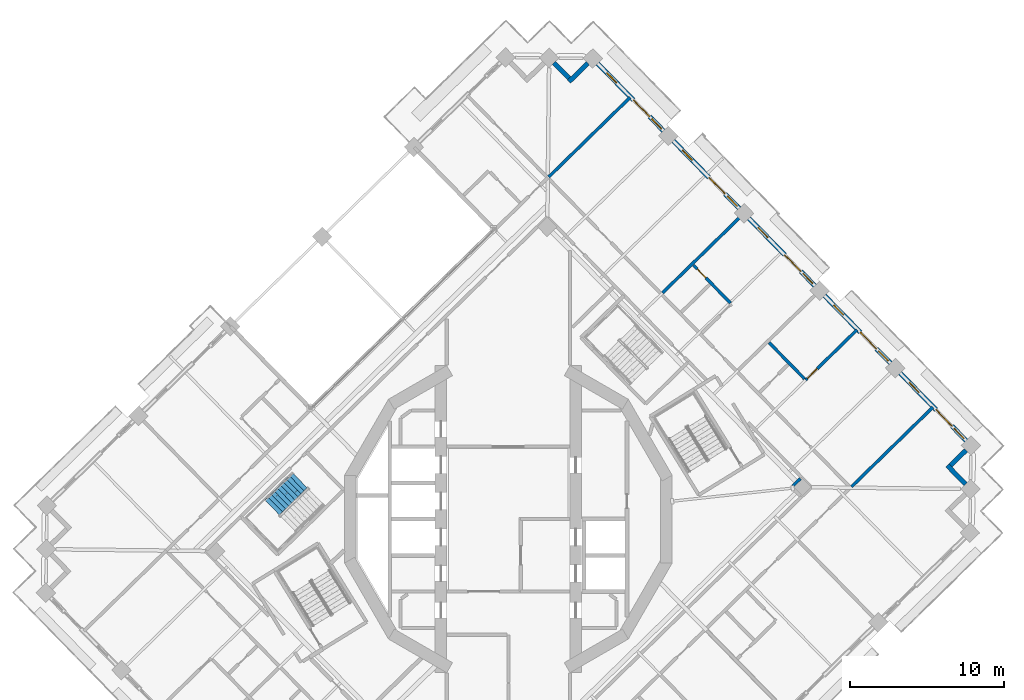
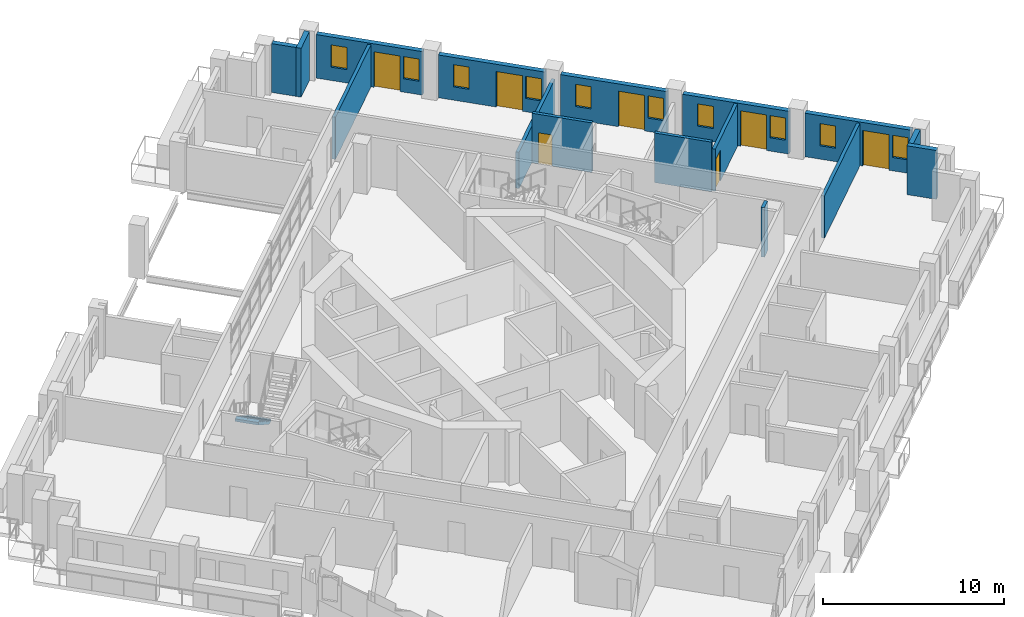
# One storey, part 11 of 18: 16 walls, 10 windows, 7 doors, 1 stair flight, 17 openings, 1 element without a shape of its own.
"""IFC4 building model written with IfcOpenShell, lengths in metres."""

from ifc_helpers import new_model, si_unit, direction, frame, frame_2d, origin, place, context, subcontext, project, spatial, polyline, rectangle, outline, extrude, material, layer, layer_set, type_object, element, fill, aggregate, save


model = new_model("IFC4")

# Units and contexts
model_context = context("Model", 3, precision=1e-05, world=origin(), true_north=direction((0.0, 1.0)))
body_context = subcontext(model_context, "Body", "Model", "MODEL_VIEW")
ifc_project = project(units=[si_unit("LENGTHUNIT", "METRE"), si_unit("AREAUNIT", "SQUARE_METRE"), si_unit("VOLUMEUNIT", "CUBIC_METRE"), si_unit("PLANEANGLEUNIT", "RADIAN"), si_unit("MASSUNIT", "GRAM", prefix="KILO")], contexts=[model_context])

# Site, building, storey
site_placement = place(None, origin())
site = spatial("IfcSite", under=ifc_project, at=site_placement, CompositionType="ELEMENT")
building_placement = place(site_placement, origin())
building = spatial("IfcBuilding", under=site, at=building_placement, Name="Cantera Rosa Tower", CompositionType="ELEMENT")
storey_placement = place(building_placement, frame((0.0, 0.0, 219.800048828125)))
storey = spatial("IfcBuildingStorey", under=building, at=storey_placement, Name="L47", CompositionType="ELEMENT", Elevation=219.800048828125)

# Walls
ifc_material_1 = material(Name="Hollow clay masonry with cantera stone cladding", Category="masonry")
ifc_layer_1 = layer(ifc_material_1, 0.300048828125)
ifc_layer_set_1 = layer_set([ifc_layer_1], Name="EW-LOGGIA 300")
wall_type_1 = type_object("IfcWallType", Name="EW-LOGGIA 300", PredefinedType="SOLIDWALL", material=ifc_layer_set_1)
wall_1_placement = place(storey_placement, frame((5.15283203125, 29.56982421875, 0.0), z_axis=(0.0, 0.0, 1.0), x_axis=(-0.715316077832, -0.69880105094, 0.0)))
element("IfcWall", 1, at=wall_1_placement, inside=storey, type_object=wall_type_1, Name="EN-L47-W05a", PredefinedType="SOLIDWALL", context=body_context, shape_type="SweptSolid", body=[
    extrude(rectangle(XDim=1.699951171875, YDim=0.300048828125, at=frame_2d((0.85009765625, 0.0))), origin(), (0.0, 0.0, 1.0), 3.300048828125),
])
wall_2_placement = place(storey_placement, frame((3.939208984375, 28.593994140625, 0.0), z_axis=(0.0, 0.0, 1.0), x_axis=(-0.698861982187, 0.715256548278, 0.0)))
element("IfcWall", 2, at=wall_2_placement, inside=storey, type_object=wall_type_1, Name="EN-L47-W05b", PredefinedType="SOLIDWALL", context=body_context, shape_type="SweptSolid", body=[
    extrude(rectangle(XDim=1.39990234375, YDim=0.300048828125, at=frame_2d((0.699951171875, 0.0))), origin(), (0.0, 0.0, 1.0), 3.300048828125),
])
wall_3_placement = place(storey_placement, frame((29.65625, 2.271484375, 0.0), z_axis=(0.0, 0.0, 1.0), x_axis=(-0.698872839675, 0.715245939495, 0.0)))
element("IfcWall", 3, at=wall_3_placement, inside=storey, type_object=wall_type_1, Name="EN-L47-W27a", PredefinedType="SOLIDWALL", context=body_context, shape_type="SweptSolid", body=[
    extrude(rectangle(XDim=1.699951171875, YDim=0.300048828125, at=frame_2d((0.85009765625, 0.0))), origin(), (0.0, 0.0, 1.0), 3.300048828125),
])
wall_4_placement = place(storey_placement, frame((28.680419921875, 3.48486328125, 0.0), z_axis=(0.0, 0.0, 1.0), x_axis=(0.71516937164, 0.698951192766, 0.0)))
element("IfcWall", 4, at=wall_4_placement, inside=storey, type_object=wall_type_1, Name="EN-L47-W27b", PredefinedType="SOLIDWALL", context=body_context, shape_type="SweptSolid", body=[
    extrude(rectangle(XDim=1.39990234375, YDim=0.300048828125, at=frame_2d((0.699951171875, 0.0))), origin(), (0.0, 0.0, 1.0), 3.300048828125),
])

# Wall, openings, windows, door
ifc_material_2 = material(Name="Hollow clay masonry with cantera stone cladding", Category="masonry")
ifc_layer_2 = layer(ifc_material_2, 0.300048828125)
ifc_layer_set_2 = layer_set([ifc_layer_2], Name="EW-LOGGIA 300 H2890")
wall_type_2 = type_object("IfcWallType", Name="EW-LOGGIA 300 H2890", PredefinedType="SOLIDWALL", material=ifc_layer_set_2)
wall_5_placement = place(storey_placement, frame((24.783203125, 10.120849609375, 0.0), z_axis=(0.0, 0.0, 1.0), x_axis=(-0.698800768177, 0.715316354067, 0.0)))
wall_5 = element("IfcWall", 5, at=wall_5_placement, inside=storey, type_object=wall_type_2, Name="EN-L47-W01", PredefinedType="SOLIDWALL", context=body_context, shape_type="SweptSolid", body=[
    extrude(rectangle(XDim=6.119873046875, YDim=0.300048828125, at=frame_2d((3.06005859375, 0.0))), origin(), (0.0, 0.0, 1.0), 2.889892578125),
])
opening_1_placement = place(wall_5_placement, frame((0.199951171875, 0.0, 0.89990234375)))
opening_1 = element("IfcOpeningElement", 6, at=opening_1_placement, cuts=wall_5, Name="Opening L47-W01", PredefinedType="OPENING", context=body_context, shape_type="SweptSolid", body=[
    extrude(rectangle(XDim=0.89990234375, YDim=1.5, at=frame_2d((0.449951171875, 0.75))), frame((0.0, 0.159912109375, 0.0), z_axis=(0.0, -1.0, 0.0), x_axis=(1.0, 0.0, 0.0)), (0.0, 0.0, 1.0), 0.320068359375),
])
opening_2_placement = place(wall_5_placement, frame((1.300048828125, 0.0, 0.0)))
opening_2 = element("IfcOpeningElement", 7, at=opening_2_placement, cuts=wall_5, Name="Opening L47-TD02", PredefinedType="OPENING", context=body_context, shape_type="SweptSolid", body=[
    extrude(rectangle(XDim=1.5, YDim=2.39990234375, at=frame_2d((0.75, 1.199951171875))), frame((0.0, 0.159912109375, 0.0), z_axis=(0.0, -1.0, 0.0), x_axis=(1.0, 0.0, 0.0)), (0.0, 0.0, 1.0), 0.320068359375),
])
opening_3_placement = place(wall_5_placement, frame((4.364990234375, 0.0, 0.89990234375)))
opening_3 = element("IfcOpeningElement", 8, at=opening_3_placement, cuts=wall_5, Name="Opening L47-W03", PredefinedType="OPENING", context=body_context, shape_type="SweptSolid", body=[
    extrude(rectangle(XDim=0.89990234375, YDim=1.5, at=frame_2d((0.449951171875, 0.75))), frame((0.0, 0.159912109375, 0.0), z_axis=(0.0, -1.0, 0.0), x_axis=(1.0, 0.0, 0.0)), (0.0, 0.0, 1.0), 0.320068359375),
])
ifc_material_3 = material(Name="Aluminium frame with clear glass", Category="aluminium")
window_type = type_object("IfcWindowType", Name="Residential window 900x1500", PartitioningType="SINGLE_PANEL", PredefinedType="WINDOW", material=ifc_material_3)
window_1_placement = place(opening_1_placement, origin())
window_1 = element("IfcWindow", 9, at=window_1_placement, inside=storey, type_object=window_type, Name="WINDOW L47-W01", OverallHeight=1.5, OverallWidth=0.89990234375, PartitioningType="SINGLE_PANEL", PredefinedType="WINDOW", context=body_context, shape_type="SweptSolid", body=[
    extrude(rectangle(XDim=0.89990234375, YDim=1.5, at=frame_2d((0.449951171875, 0.75))), frame((0.0, 0.030029296875, 0.0), z_axis=(0.0, -1.0, 0.0), x_axis=(1.0, 0.0, 0.0)), (0.0, 0.0, 1.0), 0.06005859375),
])
fill(opening_1, window_1)
window_2_placement = place(opening_3_placement, origin())
window_2 = element("IfcWindow", 10, at=window_2_placement, inside=storey, type_object=window_type, Name="WINDOW L47-W03", OverallHeight=1.5, OverallWidth=0.89990234375, PartitioningType="SINGLE_PANEL", PredefinedType="WINDOW", context=body_context, shape_type="SweptSolid", body=[
    extrude(rectangle(XDim=0.89990234375, YDim=1.5, at=frame_2d((0.449951171875, 0.75))), frame((0.0, 0.030029296875, 0.0), z_axis=(0.0, -1.0, 0.0), x_axis=(1.0, 0.0, 0.0)), (0.0, 0.0, 1.0), 0.06005859375),
])
fill(opening_3, window_2)
ifc_material_4 = material(Name="Aluminium frame with clear glass", Category="aluminium")
door_type_1 = type_object("IfcDoorType", Name="TD-R 1500x2400", OperationType="NOTDEFINED", PredefinedType="DOOR", material=ifc_material_4)
door_1_placement = place(opening_2_placement, origin())
door_1 = element("IfcDoor", 11, at=door_1_placement, inside=storey, type_object=door_type_1, Name="LOGGIA DOOR L47-TD02", OperationType="SLIDING_TO_LEFT", OverallHeight=2.39990234375, OverallWidth=1.5, PredefinedType="DOOR", context=body_context, shape_type="SweptSolid", body=[
    extrude(rectangle(XDim=1.5, YDim=2.39990234375, at=frame_2d((0.75, 1.199951171875))), frame((0.0, 0.02490234375, 0.0), z_axis=(0.0, -1.0, 0.0), x_axis=(1.0, 0.0, 0.0)), (0.0, 0.0, 1.0), 0.050048828125),
])
fill(opening_2, door_1)

wall_6_placement = place(storey_placement, frame((19.87744140625, 15.142333984375, 0.0), z_axis=(0.0, 0.0, 1.0), x_axis=(-0.698841120217, 0.71527693147, 0.0)))
wall_6 = element("IfcWall", 12, at=wall_6_placement, inside=storey, type_object=wall_type_2, Name="EN-L47-W02", PredefinedType="SOLIDWALL", context=body_context, shape_type="SweptSolid", body=[
    extrude(rectangle(XDim=6.119873046875, YDim=0.300048828125, at=frame_2d((3.06005859375, 0.0))), origin(), (0.0, 0.0, 1.0), 2.889892578125),
])
opening_4_placement = place(wall_6_placement, frame((0.199951171875, 0.0, 0.89990234375)))
opening_4 = element("IfcOpeningElement", 13, at=opening_4_placement, cuts=wall_6, Name="Opening L47-W04", PredefinedType="OPENING", context=body_context, shape_type="SweptSolid", body=[
    extrude(rectangle(XDim=0.89990234375, YDim=1.5, at=frame_2d((0.449951171875, 0.75))), frame((0.0, 0.159912109375, 0.0), z_axis=(0.0, -1.0, 0.0), x_axis=(1.0, 0.0, 0.0)), (0.0, 0.0, 1.0), 0.320068359375),
])
opening_5_placement = place(wall_6_placement, frame((1.300048828125, 0.0, 0.0)))
opening_5 = element("IfcOpeningElement", 14, at=opening_5_placement, cuts=wall_6, Name="Opening L47-TD05", PredefinedType="OPENING", context=body_context, shape_type="SweptSolid", body=[
    extrude(rectangle(XDim=1.5, YDim=2.39990234375, at=frame_2d((0.75, 1.199951171875))), frame((0.0, 0.159912109375, 0.0), z_axis=(0.0, -1.0, 0.0), x_axis=(1.0, 0.0, 0.0)), (0.0, 0.0, 1.0), 0.320068359375),
])
opening_6_placement = place(wall_6_placement, frame((4.364990234375, 0.0, 0.89990234375)))
opening_6 = element("IfcOpeningElement", 15, at=opening_6_placement, cuts=wall_6, Name="Opening L47-W06", PredefinedType="OPENING", context=body_context, shape_type="SweptSolid", body=[
    extrude(rectangle(XDim=0.89990234375, YDim=1.5, at=frame_2d((0.449951171875, 0.75))), frame((0.0, 0.159912109375, 0.0), z_axis=(0.0, -1.0, 0.0), x_axis=(1.0, 0.0, 0.0)), (0.0, 0.0, 1.0), 0.320068359375),
])
window_3_placement = place(opening_4_placement, origin())
window_3 = element("IfcWindow", 16, at=window_3_placement, inside=storey, type_object=window_type, Name="WINDOW L47-W04", OverallHeight=1.5, OverallWidth=0.89990234375, PartitioningType="SINGLE_PANEL", PredefinedType="WINDOW", context=body_context, shape_type="SweptSolid", body=[
    extrude(rectangle(XDim=0.89990234375, YDim=1.5, at=frame_2d((0.449951171875, 0.75))), frame((0.0, 0.030029296875, 0.0), z_axis=(0.0, -1.0, 0.0), x_axis=(1.0, 0.0, 0.0)), (0.0, 0.0, 1.0), 0.06005859375),
])
fill(opening_4, window_3)
window_4_placement = place(opening_6_placement, origin())
window_4 = element("IfcWindow", 17, at=window_4_placement, inside=storey, type_object=window_type, Name="WINDOW L47-W06", OverallHeight=1.5, OverallWidth=0.89990234375, PartitioningType="SINGLE_PANEL", PredefinedType="WINDOW", context=body_context, shape_type="SweptSolid", body=[
    extrude(rectangle(XDim=0.89990234375, YDim=1.5, at=frame_2d((0.449951171875, 0.75))), frame((0.0, 0.030029296875, 0.0), z_axis=(0.0, -1.0, 0.0), x_axis=(1.0, 0.0, 0.0)), (0.0, 0.0, 1.0), 0.06005859375),
])
fill(opening_6, window_4)
door_2_placement = place(opening_5_placement, origin())
door_2 = element("IfcDoor", 18, at=door_2_placement, inside=storey, type_object=door_type_1, Name="LOGGIA DOOR L47-TD05", OperationType="SLIDING_TO_LEFT", OverallHeight=2.39990234375, OverallWidth=1.5, PredefinedType="DOOR", context=body_context, shape_type="SweptSolid", body=[
    extrude(rectangle(XDim=1.5, YDim=2.39990234375, at=frame_2d((0.75, 1.199951171875))), frame((0.0, 0.02490234375, 0.0), z_axis=(0.0, -1.0, 0.0), x_axis=(1.0, 0.0, 0.0)), (0.0, 0.0, 1.0), 0.050048828125),
])
fill(opening_5, door_2)

wall_7_placement = place(storey_placement, frame((14.9716796875, 20.16357421875, 0.0), z_axis=(0.0, 0.0, 1.0), x_axis=(-0.698841120217, 0.71527693147, 0.0)))
wall_7 = element("IfcWall", 19, at=wall_7_placement, inside=storey, type_object=wall_type_2, Name="EN-L47-W03", PredefinedType="SOLIDWALL", context=body_context, shape_type="SweptSolid", body=[
    extrude(rectangle(XDim=6.119873046875, YDim=0.300048828125, at=frame_2d((3.06005859375, 0.0))), origin(), (0.0, 0.0, 1.0), 2.889892578125),
])
opening_7_placement = place(wall_7_placement, frame((0.199951171875, 0.0, 0.89990234375)))
opening_7 = element("IfcOpeningElement", 20, at=opening_7_placement, cuts=wall_7, Name="Opening L47-W07", PredefinedType="OPENING", context=body_context, shape_type="SweptSolid", body=[
    extrude(rectangle(XDim=0.89990234375, YDim=1.5, at=frame_2d((0.449951171875, 0.75))), frame((0.0, 0.159912109375, 0.0), z_axis=(0.0, -1.0, 0.0), x_axis=(1.0, 0.0, 0.0)), (0.0, 0.0, 1.0), 0.320068359375),
])
opening_8_placement = place(wall_7_placement, frame((1.300048828125, 0.0, 0.0)))
opening_8 = element("IfcOpeningElement", 21, at=opening_8_placement, cuts=wall_7, Name="Opening L47-TD08", PredefinedType="OPENING", context=body_context, shape_type="SweptSolid", body=[
    extrude(rectangle(XDim=1.5, YDim=2.39990234375, at=frame_2d((0.75, 1.199951171875))), frame((0.0, 0.159912109375, 0.0), z_axis=(0.0, -1.0, 0.0), x_axis=(1.0, 0.0, 0.0)), (0.0, 0.0, 1.0), 0.320068359375),
])
opening_9_placement = place(wall_7_placement, frame((4.364990234375, 0.0, 0.89990234375)))
opening_9 = element("IfcOpeningElement", 22, at=opening_9_placement, cuts=wall_7, Name="Opening L47-W09", PredefinedType="OPENING", context=body_context, shape_type="SweptSolid", body=[
    extrude(rectangle(XDim=0.89990234375, YDim=1.5, at=frame_2d((0.449951171875, 0.75))), frame((0.0, 0.159912109375, 0.0), z_axis=(0.0, -1.0, 0.0), x_axis=(1.0, 0.0, 0.0)), (0.0, 0.0, 1.0), 0.320068359375),
])
window_5_placement = place(opening_7_placement, origin())
window_5 = element("IfcWindow", 23, at=window_5_placement, inside=storey, type_object=window_type, Name="WINDOW L47-W07", OverallHeight=1.5, OverallWidth=0.89990234375, PartitioningType="SINGLE_PANEL", PredefinedType="WINDOW", context=body_context, shape_type="SweptSolid", body=[
    extrude(rectangle(XDim=0.89990234375, YDim=1.5, at=frame_2d((0.449951171875, 0.75))), frame((0.0, 0.030029296875, 0.0), z_axis=(0.0, -1.0, 0.0), x_axis=(1.0, 0.0, 0.0)), (0.0, 0.0, 1.0), 0.06005859375),
])
fill(opening_7, window_5)
window_6_placement = place(opening_9_placement, origin())
window_6 = element("IfcWindow", 24, at=window_6_placement, inside=storey, type_object=window_type, Name="WINDOW L47-W09", OverallHeight=1.5, OverallWidth=0.89990234375, PartitioningType="SINGLE_PANEL", PredefinedType="WINDOW", context=body_context, shape_type="SweptSolid", body=[
    extrude(rectangle(XDim=0.89990234375, YDim=1.5, at=frame_2d((0.449951171875, 0.75))), frame((0.0, 0.030029296875, 0.0), z_axis=(0.0, -1.0, 0.0), x_axis=(1.0, 0.0, 0.0)), (0.0, 0.0, 1.0), 0.06005859375),
])
fill(opening_9, window_6)
door_3_placement = place(opening_8_placement, origin())
door_3 = element("IfcDoor", 25, at=door_3_placement, inside=storey, type_object=door_type_1, Name="LOGGIA DOOR L47-TD08", OperationType="SLIDING_TO_LEFT", OverallHeight=2.39990234375, OverallWidth=1.5, PredefinedType="DOOR", context=body_context, shape_type="SweptSolid", body=[
    extrude(rectangle(XDim=1.5, YDim=2.39990234375, at=frame_2d((0.75, 1.199951171875))), frame((0.0, 0.02490234375, 0.0), z_axis=(0.0, -1.0, 0.0), x_axis=(1.0, 0.0, 0.0)), (0.0, 0.0, 1.0), 0.050048828125),
])
fill(opening_8, door_3)

ifc_material_5 = material(Name="Hollow clay masonry with cantera stone cladding", Category="masonry")
ifc_layer_3 = layer(ifc_material_5, 0.300048828125)
ifc_layer_set_3 = layer_set([ifc_layer_3], Name="EW-LOGGIA 300 H2940")
wall_type_3 = type_object("IfcWallType", Name="EW-LOGGIA 300 H2940", PredefinedType="SOLIDWALL", material=ifc_layer_set_3)
wall_8_placement = place(storey_placement, frame((10.06591796875, 25.184814453125, 0.0), z_axis=(0.0, 0.0, 1.0), x_axis=(-0.69882117953, 0.715296413412, 0.0)))
wall_8 = element("IfcWall", 26, at=wall_8_placement, inside=storey, type_object=wall_type_3, Name="EN-L47-W04", PredefinedType="SOLIDWALL", context=body_context, shape_type="SweptSolid", body=[
    extrude(rectangle(XDim=6.1201171875, YDim=0.300048828125, at=frame_2d((3.06005859375, 0.0))), origin(), (0.0, 0.0, 1.0), 2.93994140625),
])
opening_10_placement = place(wall_8_placement, frame((0.199951171875, 0.0, 0.89990234375)))
opening_10 = element("IfcOpeningElement", 27, at=opening_10_placement, cuts=wall_8, Name="Opening L47-W10", PredefinedType="OPENING", context=body_context, shape_type="SweptSolid", body=[
    extrude(rectangle(XDim=0.89990234375, YDim=1.5, at=frame_2d((0.449951171875, 0.75))), frame((0.0, 0.159912109375, 0.0), z_axis=(0.0, -1.0, 0.0), x_axis=(1.0, 0.0, 0.0)), (0.0, 0.0, 1.0), 0.320068359375),
])
opening_11_placement = place(wall_8_placement, frame((1.300048828125, 0.0, 0.0)))
opening_11 = element("IfcOpeningElement", 28, at=opening_11_placement, cuts=wall_8, Name="Opening L47-TD11", PredefinedType="OPENING", context=body_context, shape_type="SweptSolid", body=[
    extrude(rectangle(XDim=1.5, YDim=2.39990234375, at=frame_2d((0.75, 1.199951171875))), frame((0.0, 0.159912109375, 0.0), z_axis=(0.0, -1.0, 0.0), x_axis=(1.0, 0.0, 0.0)), (0.0, 0.0, 1.0), 0.320068359375),
])
opening_12_placement = place(wall_8_placement, frame((4.364990234375, 0.0, 0.89990234375)))
opening_12 = element("IfcOpeningElement", 29, at=opening_12_placement, cuts=wall_8, Name="Opening L47-W12", PredefinedType="OPENING", context=body_context, shape_type="SweptSolid", body=[
    extrude(rectangle(XDim=0.89990234375, YDim=1.5, at=frame_2d((0.449951171875, 0.75))), frame((0.0, 0.159912109375, 0.0), z_axis=(0.0, -1.0, 0.0), x_axis=(1.0, 0.0, 0.0)), (0.0, 0.0, 1.0), 0.320068359375),
])
window_7_placement = place(opening_10_placement, origin())
window_7 = element("IfcWindow", 30, at=window_7_placement, inside=storey, type_object=window_type, Name="WINDOW L47-W10", OverallHeight=1.5, OverallWidth=0.89990234375, PartitioningType="SINGLE_PANEL", PredefinedType="WINDOW", context=body_context, shape_type="SweptSolid", body=[
    extrude(rectangle(XDim=0.89990234375, YDim=1.5, at=frame_2d((0.449951171875, 0.75))), frame((0.0, 0.030029296875, 0.0), z_axis=(0.0, -1.0, 0.0), x_axis=(1.0, 0.0, 0.0)), (0.0, 0.0, 1.0), 0.06005859375),
])
fill(opening_10, window_7)
window_8_placement = place(opening_12_placement, origin())
window_8 = element("IfcWindow", 31, at=window_8_placement, inside=storey, type_object=window_type, Name="WINDOW L47-W12", OverallHeight=1.5, OverallWidth=0.89990234375, PartitioningType="SINGLE_PANEL", PredefinedType="WINDOW", context=body_context, shape_type="SweptSolid", body=[
    extrude(rectangle(XDim=0.89990234375, YDim=1.5, at=frame_2d((0.449951171875, 0.75))), frame((0.0, 0.030029296875, 0.0), z_axis=(0.0, -1.0, 0.0), x_axis=(1.0, 0.0, 0.0)), (0.0, 0.0, 1.0), 0.06005859375),
])
fill(opening_12, window_8)
door_4_placement = place(opening_11_placement, origin())
door_4 = element("IfcDoor", 32, at=door_4_placement, inside=storey, type_object=door_type_1, Name="LOGGIA DOOR L47-TD11", OperationType="SLIDING_TO_LEFT", OverallHeight=2.39990234375, OverallWidth=1.5, PredefinedType="DOOR", context=body_context, shape_type="SweptSolid", body=[
    extrude(rectangle(XDim=1.5, YDim=2.39990234375, at=frame_2d((0.75, 1.199951171875))), frame((0.0, 0.02490234375, 0.0), z_axis=(0.0, -1.0, 0.0), x_axis=(1.0, 0.0, 0.0)), (0.0, 0.0, 1.0), 0.050048828125),
])
fill(opening_11, door_4)

wall_9_placement = place(storey_placement, frame((29.689208984375, 5.099609375, 0.0), z_axis=(0.0, 0.0, 1.0), x_axis=(-0.69882117953, 0.715296413412, 0.0)))
wall_9 = element("IfcWall", 33, at=wall_9_placement, inside=storey, type_object=wall_type_3, Name="EN-L47-W28", PredefinedType="SOLIDWALL", context=body_context, shape_type="SweptSolid", body=[
    extrude(rectangle(XDim=6.1201171875, YDim=0.300048828125, at=frame_2d((3.06005859375, 0.0))), origin(), (0.0, 0.0, 1.0), 2.93994140625),
])
opening_13_placement = place(wall_9_placement, frame((0.199951171875, 0.0, 0.89990234375)))
opening_13 = element("IfcOpeningElement", 34, at=opening_13_placement, cuts=wall_9, Name="Opening L47-W52", PredefinedType="OPENING", context=body_context, shape_type="SweptSolid", body=[
    extrude(rectangle(XDim=0.89990234375, YDim=1.5, at=frame_2d((0.449951171875, 0.75))), frame((0.0, 0.159912109375, 0.0), z_axis=(0.0, -1.0, 0.0), x_axis=(1.0, 0.0, 0.0)), (0.0, 0.0, 1.0), 0.320068359375),
])
opening_14_placement = place(wall_9_placement, frame((1.300048828125, 0.0, 0.0)))
opening_14 = element("IfcOpeningElement", 35, at=opening_14_placement, cuts=wall_9, Name="Opening L47-TD53", PredefinedType="OPENING", context=body_context, shape_type="SweptSolid", body=[
    extrude(rectangle(XDim=1.5, YDim=2.39990234375, at=frame_2d((0.75, 1.199951171875))), frame((0.0, 0.159912109375, 0.0), z_axis=(0.0, -1.0, 0.0), x_axis=(1.0, 0.0, 0.0)), (0.0, 0.0, 1.0), 0.320068359375),
])
opening_15_placement = place(wall_9_placement, frame((4.364990234375, 0.0, 0.89990234375)))
opening_15 = element("IfcOpeningElement", 36, at=opening_15_placement, cuts=wall_9, Name="Opening L47-W54", PredefinedType="OPENING", context=body_context, shape_type="SweptSolid", body=[
    extrude(rectangle(XDim=0.89990234375, YDim=1.5, at=frame_2d((0.449951171875, 0.75))), frame((0.0, 0.159912109375, 0.0), z_axis=(0.0, -1.0, 0.0), x_axis=(1.0, 0.0, 0.0)), (0.0, 0.0, 1.0), 0.320068359375),
])
window_9_placement = place(opening_13_placement, origin())
window_9 = element("IfcWindow", 37, at=window_9_placement, inside=storey, type_object=window_type, Name="WINDOW L47-W52", OverallHeight=1.5, OverallWidth=0.89990234375, PartitioningType="SINGLE_PANEL", PredefinedType="WINDOW", context=body_context, shape_type="SweptSolid", body=[
    extrude(rectangle(XDim=0.89990234375, YDim=1.5, at=frame_2d((0.449951171875, 0.75))), frame((0.0, 0.030029296875, 0.0), z_axis=(0.0, -1.0, 0.0), x_axis=(1.0, 0.0, 0.0)), (0.0, 0.0, 1.0), 0.06005859375),
])
fill(opening_13, window_9)
window_10_placement = place(opening_15_placement, origin())
window_10 = element("IfcWindow", 38, at=window_10_placement, inside=storey, type_object=window_type, Name="WINDOW L47-W54", OverallHeight=1.5, OverallWidth=0.89990234375, PartitioningType="SINGLE_PANEL", PredefinedType="WINDOW", context=body_context, shape_type="SweptSolid", body=[
    extrude(rectangle(XDim=0.89990234375, YDim=1.5, at=frame_2d((0.449951171875, 0.75))), frame((0.0, 0.030029296875, 0.0), z_axis=(0.0, -1.0, 0.0), x_axis=(1.0, 0.0, 0.0)), (0.0, 0.0, 1.0), 0.06005859375),
])
fill(opening_15, window_10)
door_5_placement = place(opening_14_placement, origin())
door_5 = element("IfcDoor", 39, at=door_5_placement, inside=storey, type_object=door_type_1, Name="LOGGIA DOOR L47-TD53", OperationType="SLIDING_TO_LEFT", OverallHeight=2.39990234375, OverallWidth=1.5, PredefinedType="DOOR", context=body_context, shape_type="SweptSolid", body=[
    extrude(rectangle(XDim=1.5, YDim=2.39990234375, at=frame_2d((0.75, 1.199951171875))), frame((0.0, 0.02490234375, 0.0), z_axis=(0.0, -1.0, 0.0), x_axis=(1.0, 0.0, 0.0)), (0.0, 0.0, 1.0), 0.050048828125),
])
fill(opening_14, door_5)

# Wall, opening, door
ifc_material_6 = material(Name="Gypsum board partition")
ifc_layer_4 = layer(ifc_material_6, 0.199951171875)
ifc_layer_set_4 = layer_set([ifc_layer_4], Name="PARTITION 200 H2850")
wall_type_4 = type_object("IfcWallType", Name="PARTITION 200 H2850", PredefinedType="PARTITIONING", material=ifc_layer_set_4)
wall_10_placement = place(storey_placement, frame((22.623291015625, 12.288818359375, 0.0), z_axis=(0.0, 0.0, 1.0), x_axis=(-0.715241248144, -0.698877640903, 0.0)))
wall_10 = element("IfcWall", 40, at=wall_10_placement, inside=storey, type_object=wall_type_4, Name="PARTITION L47-125", PredefinedType="PARTITIONING", context=body_context, shape_type="SweptSolid", body=[
    extrude(rectangle(XDim=4.669921875, YDim=0.199951171875, at=frame_2d((2.3349609375, 0.0))), origin(), (0.0, 0.0, 1.0), 2.849853515625),
])
opening_16_placement = place(wall_10_placement, frame((3.6201171875, 0.0, 0.0)))
opening_16 = element("IfcOpeningElement", 41, at=opening_16_placement, cuts=wall_10, Name="Opening L47-025", PredefinedType="OPENING", context=body_context, shape_type="SweptSolid", body=[
    extrude(rectangle(XDim=0.89990234375, YDim=2.10009765625, at=frame_2d((0.449951171875, 1.050048828125))), frame((0.0, 0.10986328125, 0.0), z_axis=(0.0, -1.0, 0.0), x_axis=(1.0, 0.0, 0.0)), (0.0, 0.0, 1.0), 0.219970703125),
])
ifc_material_7 = material(Name="Timber door leaf", Category="wood")
door_type_2 = type_object("IfcDoorType", Name="ROOM DOOR 900x2100", OperationType="NOTDEFINED", PredefinedType="DOOR", material=ifc_material_7)
door_6_placement = place(opening_16_placement, origin())
door_6 = element("IfcDoor", 42, at=door_6_placement, inside=storey, type_object=door_type_2, Name="DOOR L47-025", OperationType="NOTDEFINED", OverallHeight=2.10009765625, OverallWidth=0.89990234375, PredefinedType="DOOR", context=body_context, shape_type="SweptSolid", body=[
    extrude(rectangle(XDim=0.89990234375, YDim=2.10009765625, at=frame_2d((0.449951171875, 1.050048828125))), frame((0.0, 0.02490234375, 0.0), z_axis=(0.0, -1.0, 0.0), x_axis=(1.0, 0.0, 0.0)), (0.0, 0.0, 1.0), 0.050048828125),
])
fill(opening_16, door_6)

ifc_material_8 = material(Name="Gypsum board partition")
ifc_layer_5 = layer(ifc_material_8, 0.199951171875)
ifc_layer_set_5 = layer_set([ifc_layer_5], Name="PARTITION 200 H3350")
wall_type_5 = type_object("IfcWallType", Name="PARTITION 200 H3350", PredefinedType="PARTITIONING", material=ifc_layer_set_5)
wall_11_placement = place(storey_placement, frame((12.00830078125, 16.47119140625, 0.0), z_axis=(0.0, 0.0, 1.0), x_axis=(0.698837785219, -0.715280189821, 0.0)))
wall_11 = element("IfcWall", 43, at=wall_11_placement, inside=storey, type_object=wall_type_5, Name="PARTITION L47-101", PredefinedType="PARTITIONING", context=body_context, shape_type="SweptSolid", body=[
    extrude(rectangle(XDim=3.429931640625, YDim=0.199951171875, at=frame_2d((1.71484375, 0.0))), origin(), (0.0, 0.0, 1.0), 3.349853515625),
])
opening_17_placement = place(wall_11_placement, frame((0.35498046875, 0.0, 0.0)))
opening_17 = element("IfcOpeningElement", 44, at=opening_17_placement, cuts=wall_11, Name="Opening L47-028", PredefinedType="OPENING", context=body_context, shape_type="SweptSolid", body=[
    extrude(rectangle(XDim=0.800048828125, YDim=2.10009765625, at=frame_2d((0.39990234375, 1.050048828125))), frame((0.0, 0.10986328125, 0.0), z_axis=(0.0, -1.0, 0.0), x_axis=(1.0, 0.0, 0.0)), (0.0, 0.0, 1.0), 0.219970703125),
])
ifc_material_9 = material(Name="Timber door leaf", Category="wood")
door_type_3 = type_object("IfcDoorType", Name="BATHROOM DOOR 800x2100", OperationType="NOTDEFINED", PredefinedType="DOOR", material=ifc_material_9)
door_7_placement = place(opening_17_placement, origin())
door_7 = element("IfcDoor", 45, at=door_7_placement, inside=storey, type_object=door_type_3, Name="DOOR L47-028", OperationType="NOTDEFINED", OverallHeight=2.10009765625, OverallWidth=0.800048828125, PredefinedType="DOOR", context=body_context, shape_type="SweptSolid", body=[
    extrude(rectangle(XDim=0.800048828125, YDim=2.10009765625, at=frame_2d((0.39990234375, 1.050048828125))), frame((0.0, 0.02490234375, 0.0), z_axis=(0.0, -1.0, 0.0), x_axis=(1.0, 0.0, 0.0)), (0.0, 0.0, 1.0), 0.050048828125),
])
fill(opening_17, door_7)

# Walls
wall_12_placement = place(storey_placement, frame((16.9140625, 11.449951171875, 0.0), z_axis=(0.0, 0.0, 1.0), x_axis=(0.698821655965, -0.71529594795, 0.0)))
element("IfcWall", 46, at=wall_12_placement, inside=storey, type_object=wall_type_5, Name="PARTITION L47-117", PredefinedType="PARTITIONING", context=body_context, shape_type="SweptSolid", body=[
    extrude(rectangle(XDim=3.2900390625, YDim=0.199951171875, at=frame_2d((1.64501953125, 0.0))), origin(), (0.0, 0.0, 1.0), 3.349853515625),
])
wall_13_placement = place(storey_placement, frame((18.932861328125, 2.62939453125, 0.0), z_axis=(0.0, 0.0, 1.0), x_axis=(-0.715493021556, -0.698619879552, 0.0)))
element("IfcWall", 47, at=wall_13_placement, inside=storey, type_object=wall_type_5, Name="PARTITION L47-122", PredefinedType="PARTITIONING", context=body_context, shape_type="SweptSolid", body=[
    extrude(rectangle(XDim=0.679931640625, YDim=0.199951171875, at=frame_2d((0.33984375, 0.0))), origin(), (0.0, 0.0, 1.0), 3.349853515625),
])
ifc_material_10 = material(Name="Gypsum board partition")
ifc_layer_6 = layer(ifc_material_10, 0.199951171875)
ifc_layer_set_6 = layer_set([ifc_layer_6], Name="PARTY WALL 200 H2450")
wall_type_6 = type_object("IfcWallType", Name="PARTY WALL 200 H2450", PredefinedType="PARTITIONING", material=ifc_layer_set_6)
wall_14_placement = place(storey_placement, frame((10.00732421875, 14.684326171875, 0.0), z_axis=(0.0, 0.0, 1.0), x_axis=(0.715280026246, 0.698837952642, 0.0)))
element("IfcWall", 48, at=wall_14_placement, inside=storey, type_object=wall_type_6, Name="PARTY WALL L47-096", PredefinedType="PARTITIONING", context=body_context, shape_type="SweptSolid", body=[
    extrude(rectangle(XDim=7.35009765625, YDim=0.199951171875, at=frame_2d((3.675048828125, 0.0))), origin(), (0.0, 0.0, 1.0), 2.449951171875),
])
ifc_material_11 = material(Name="Gypsum board partition")
ifc_layer_7 = layer(ifc_material_11, 0.199951171875)
ifc_layer_set_7 = layer_set([ifc_layer_7], Name="PARTY WALL 200 H2850")
wall_type_7 = type_object("IfcWallType", Name="PARTY WALL 200 H2850", PredefinedType="PARTITIONING", material=ifc_layer_set_7)
wall_15_placement = place(storey_placement, frame((2.613037109375, 22.195556640625, 0.0), z_axis=(0.0, 0.0, 1.0), x_axis=(0.715301288011, 0.698816189974, 0.0)))
element("IfcWall", 49, at=wall_15_placement, inside=storey, type_object=wall_type_7, Name="PARTY WALL L47-074", PredefinedType="PARTITIONING", context=body_context, shape_type="SweptSolid", body=[
    extrude(rectangle(XDim=7.39013671875, YDim=0.199951171875, at=frame_2d((3.695068359375, 0.0))), origin(), (0.0, 0.0, 1.0), 2.849853515625),
])
wall_16_placement = place(storey_placement, frame((27.5361328125, 7.26025390625, 0.0), z_axis=(0.0, 0.0, 1.0), x_axis=(-0.715285154374, -0.698832703823, 0.0)))
element("IfcWall", 50, at=wall_16_placement, inside=storey, type_object=wall_type_7, Name="PARTY WALL L47-126", PredefinedType="PARTITIONING", context=body_context, shape_type="SweptSolid", body=[
    extrude(rectangle(XDim=7.389892578125, YDim=0.199951171875, at=frame_2d((3.69482421875, 0.0))), origin(), (0.0, 0.0, 1.0), 2.849853515625),
])

# Stair, stair flight
ifc_material_12 = material(Name="Concrete C35/45", Category="concrete")
stair_type = type_object("IfcStairType", Name="EXIT STAIR 1350 DOGLEG", PredefinedType="HALF_TURN_STAIR", material=ifc_material_12)
stair_placement = place(storey_placement, origin())
stair = element("IfcStair", 51, at=stair_placement, inside=storey, type_object=stair_type, Name="L47 ST-43", PredefinedType="HALF_TURN_STAIR")
ifc_material_13 = material(Name="Concrete C35/45", Category="concrete")
stair_flight_type = type_object("IfcStairFlightType", Name="STAIR FLIGHT 1350 R20x180", PredefinedType="STRAIGHT", material=ifc_material_13)
stair_flight_placement = place(storey_placement, frame((-13.522705078125, 2.514892578125, 0.0), z_axis=(0.0, 0.0, 1.0), x_axis=(-0.715286295132, -0.698831536207, 0.0)))
stair_flight = element("IfcStairFlight", 52, at=stair_flight_placement, type_object=stair_flight_type, Name="ST-43 flight 1", NumberOfRisers=10, NumberOfTreads=9, PredefinedType="STRAIGHT", RiserHeight=0.18, TreadLength=0.28, context=body_context, shape_type="SweptSolid", body=[
    extrude(outline(polyline([(0.0, 0.0), (0.0, 0.179931640625), (0.280029296875, 0.179931640625), (0.280029296875, 0.360107421875), (0.56005859375, 0.360107421875), (0.56005859375, 0.5400390625), (0.840087890625, 0.5400390625), (0.840087890625, 0.719970703125), (1.1201171875, 0.719970703125), (1.1201171875, 0.89990234375), (1.39990234375, 0.89990234375), (1.39990234375, 1.080078125), (1.679931640625, 1.080078125), (1.679931640625, 1.260009765625), (1.9599609375, 1.260009765625), (1.9599609375, 1.43994140625), (2.239990234375, 1.43994140625), (2.239990234375, 1.6201171875), (2.52001953125, 1.6201171875), (2.52001953125, 1.800048828125), (2.52001953125, 1.44189453125), (0.277099609375, 0.0), (0.0, 0.0)])), frame((0.0, 0.675048828125, 0.0), z_axis=(0.0, -1.0, 0.0), x_axis=(1.0, 0.0, 0.0)), (0.0, 0.0, 1.0), 0.3359375),
    extrude(outline(polyline([(0.0, 0.0), (0.0, 0.179931640625), (0.280029296875, 0.179931640625), (0.280029296875, 0.360107421875), (0.56005859375, 0.360107421875), (0.56005859375, 0.5400390625), (0.840087890625, 0.5400390625), (0.840087890625, 0.719970703125), (1.1201171875, 0.719970703125), (1.1201171875, 0.89990234375), (1.39990234375, 0.89990234375), (1.39990234375, 1.080078125), (1.679931640625, 1.080078125), (1.679931640625, 1.260009765625), (1.9599609375, 1.260009765625), (1.9599609375, 1.43994140625), (2.239990234375, 1.43994140625), (2.239990234375, 1.6201171875), (2.52001953125, 1.6201171875), (2.52001953125, 1.800048828125), (2.52001953125, 1.44189453125), (0.277099609375, 0.0), (0.0, 0.0)])), frame((0.0, 0.337158203125, 0.0), z_axis=(0.0, -1.0, 0.0), x_axis=(1.0, 0.0, 0.0)), (0.0, 0.0, 1.0), 0.3359375),
    extrude(outline(polyline([(0.0, 0.0), (0.0, 0.179931640625), (0.280029296875, 0.179931640625), (0.280029296875, 0.360107421875), (0.56005859375, 0.360107421875), (0.56005859375, 0.5400390625), (0.840087890625, 0.5400390625), (0.840087890625, 0.719970703125), (1.1201171875, 0.719970703125), (1.1201171875, 0.89990234375), (1.39990234375, 0.89990234375), (1.39990234375, 1.080078125), (1.679931640625, 1.080078125), (1.679931640625, 1.260009765625), (1.9599609375, 1.260009765625), (1.9599609375, 1.43994140625), (2.239990234375, 1.43994140625), (2.239990234375, 1.6201171875), (2.52001953125, 1.6201171875), (2.52001953125, 1.800048828125), (2.52001953125, 1.44189453125), (0.277099609375, 0.0), (0.0, 0.0)])), frame((0.0, -0.000732421875, 0.0), z_axis=(0.0, -1.0, 0.0), x_axis=(1.0, 0.0, 0.0)), (0.0, 0.0, 1.0), 0.3359375),
    extrude(outline(polyline([(0.0, 0.0), (0.0, 0.179931640625), (0.280029296875, 0.179931640625), (0.280029296875, 0.360107421875), (0.56005859375, 0.360107421875), (0.56005859375, 0.5400390625), (0.840087890625, 0.5400390625), (0.840087890625, 0.719970703125), (1.1201171875, 0.719970703125), (1.1201171875, 0.89990234375), (1.39990234375, 0.89990234375), (1.39990234375, 1.080078125), (1.679931640625, 1.080078125), (1.679931640625, 1.260009765625), (1.9599609375, 1.260009765625), (1.9599609375, 1.43994140625), (2.239990234375, 1.43994140625), (2.239990234375, 1.6201171875), (2.52001953125, 1.6201171875), (2.52001953125, 1.800048828125), (2.52001953125, 1.44189453125), (0.277099609375, 0.0), (0.0, 0.0)])), frame((0.0, -0.338623046875, 0.0), z_axis=(0.0, -1.0, 0.0), x_axis=(1.0, 0.0, 0.0)), (0.0, 0.0, 1.0), 0.3359375),
])
aggregate(stair, [stair_flight])

save(model, "model.ifc")
